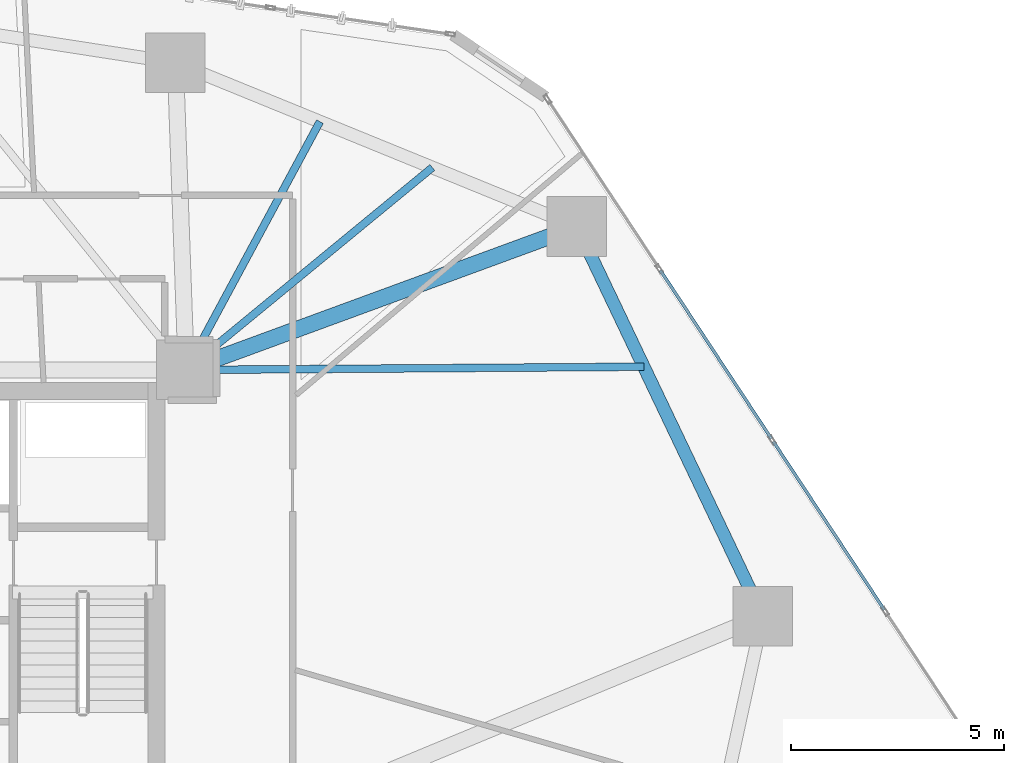
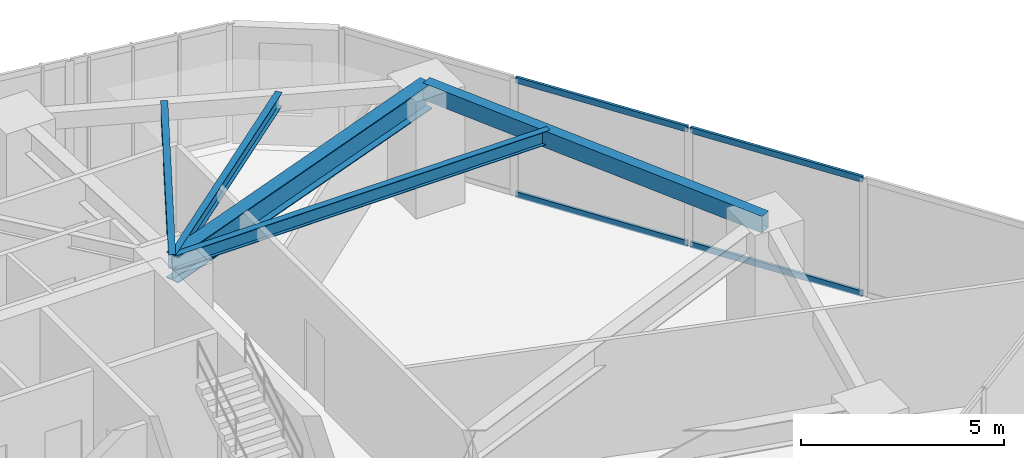
# One storey, part 12 of 22: 5 beams, 4 members, 1 element without a shape of its own.
"""IFC4 building model written with IfcOpenShell, lengths in metres."""

from ifc_helpers import new_model, si_unit, direction, frame, origin, origin_2d, place, context, subcontext, project, spatial, hollow_rectangle, i_section, extrude, source, transform, mapped, material, layer, layer_set, material_profile, profile_set, type_object, type_shapes, element, aggregate, save


model = new_model("IFC4")

# Units and contexts
model_context = context("Model", 3, precision=1e-05, world=origin(), true_north=direction((0.0, 1.0)))
body_context = subcontext(model_context, "Body", "Model", "MODEL_VIEW")
ifc_project = project(units=[si_unit("LENGTHUNIT", "METRE"), si_unit("AREAUNIT", "SQUARE_METRE"), si_unit("VOLUMEUNIT", "CUBIC_METRE"), si_unit("PLANEANGLEUNIT", "RADIAN"), si_unit("MASSUNIT", "GRAM", prefix="KILO")], contexts=[model_context])

# Site, building, storey
site_placement = place(None, origin())
site = spatial("IfcSite", under=ifc_project, at=site_placement, CompositionType="ELEMENT")
building_placement = place(site_placement, origin())
building = spatial("IfcBuilding", under=site, at=building_placement, Name="Talar Marvaseh", CompositionType="ELEMENT")
storey_placement = place(building_placement, frame((0.0, 0.0, 65.800048828125)))
storey = spatial("IfcBuildingStorey", under=building, at=storey_placement, Name="L16", CompositionType="ELEMENT", Elevation=65.800048828125)

# Beams
ifc_material_1 = material(Name="Steel S355", Category="steel")
ifc_material_profile_1 = material_profile(ifc_material_1, hollow_rectangle(XDim=0.300048828125, YDim=0.5, WallThickness=0.02001953125, at=origin_2d()), Name="RHS500x300x20")
ifc_profile_set_1 = profile_set([ifc_material_profile_1], Name="Steel S355")
beam_type_1 = type_object("IfcBeamType", Name="Zone 1 Perimeter Spandrel Beam RHS500x300x20", PredefinedType="SPANDREL", material=ifc_profile_set_1)
beam_1_placement = place(storey_placement, frame((42.47705078125, 40.26904296875, 3.27001953125), z_axis=(0.430480372911, -0.902599938255, 0.0), x_axis=(0.902599938255, 0.430480372911, 0.0)))
element("IfcBeam", 1, at=beam_1_placement, inside=storey, type_object=beam_type_1, Name="L16 Zone 1 Perimeter Spandrel Beam RHS500x300x20", PredefinedType="SPANDREL", context=body_context, shape_type="SweptSolid", body=[
    extrude(hollow_rectangle(XDim=0.300048828125, YDim=0.5, WallThickness=0.02001953125, at=origin_2d()), origin(), (0.0, 0.0, 1.0), 10.137451171875),
])
ifc_material_profile_2 = material_profile(ifc_material_1, i_section(OverallWidth=0.381103515625, OverallDepth=0.77294921875, WebThickness=0.0166015625, FlangeThickness=0.027099609375, at=origin_2d()), Name="W760x257")
ifc_profile_set_2 = profile_set([ifc_material_profile_2], Name="Steel S355")
beam_type_2 = type_object("IfcBeamType", Name="Zone 1 Radial Floor Girder W760x257", PredefinedType="BEAM", material=ifc_profile_set_2)
beam_2_placement = place(storey_placement, frame((42.47705078125, 40.26904296875, 3.133544921875), z_axis=(-0.938736057616, -0.344636930887, 0.0), x_axis=(0.344636930887, -0.938736057616, 0.0)))
element("IfcBeam", 2, at=beam_2_placement, inside=storey, type_object=beam_type_2, Name="L16 Zone 1 Radial Floor Girder W760x257", PredefinedType="BEAM", context=body_context, shape_type="SweptSolid", body=[
    extrude(i_section(OverallWidth=0.381103515625, OverallDepth=0.77294921875, WebThickness=0.0166015625, FlangeThickness=0.027099609375, at=origin_2d()), origin(), (0.0, 0.0, 1.0), 9.77587890625),
])
ifc_material_profile_3 = material_profile(ifc_material_1, i_section(OverallWidth=0.179931640625, OverallDepth=0.4130859375, WebThickness=0.009765625, FlangeThickness=0.01611328125, at=origin_2d()), Name="W410x75")
ifc_profile_set_3 = profile_set([ifc_material_profile_3], Name="Steel S355")
beam_type_3 = type_object("IfcBeamType", Name="Zone 1 Secondary Floor Joist W410x75", PredefinedType="JOIST", material=ifc_profile_set_3)
beam_3_placement = place(storey_placement, frame((44.048095703125, 36.97509765625, 3.3134765625), z_axis=(-0.999975527604, -0.006996012686, 0.0), x_axis=(0.006996012686, -0.999975527604, 0.0)))
element("IfcBeam", 3, at=beam_3_placement, inside=storey, type_object=beam_type_3, Name="L16 Zone 1 Secondary Floor Joist W410x75", PredefinedType="JOIST", context=body_context, shape_type="SweptSolid", body=[
    extrude(i_section(OverallWidth=0.179931640625, OverallDepth=0.4130859375, WebThickness=0.009765625, FlangeThickness=0.01611328125, at=origin_2d()), origin(), (0.0, 0.0, 1.0), 10.748291015625),
])
beam_4_placement = place(storey_placement, frame((36.441162109375, 42.732421875, 3.3134765625), z_axis=(-0.474161357627, -0.880437963137, 0.0), x_axis=(0.880437963137, -0.474161357627, 0.0)))
element("IfcBeam", 4, at=beam_4_placement, inside=storey, type_object=beam_type_3, Name="L16 Zone 1 Secondary Floor Joist W410x75", PredefinedType="JOIST", context=body_context, shape_type="SweptSolid", body=[
    extrude(i_section(OverallWidth=0.179931640625, OverallDepth=0.4130859375, WebThickness=0.009765625, FlangeThickness=0.01611328125, at=origin_2d()), origin(), (0.0, 0.0, 1.0), 6.62451171875),
])
beam_5_placement = place(storey_placement, frame((39.081787109375, 41.654541015625, 3.3134765625), z_axis=(-0.772375351123, -0.635166369526, 0.0), x_axis=(0.635166369526, -0.772375351123, 0.0)))
element("IfcBeam", 5, at=beam_5_placement, inside=storey, type_object=beam_type_3, Name="L16 Zone 1 Secondary Floor Joist W410x75", PredefinedType="JOIST", context=body_context, shape_type="SweptSolid", body=[
    extrude(i_section(OverallWidth=0.179931640625, OverallDepth=0.4130859375, WebThickness=0.009765625, FlangeThickness=0.01611328125, at=origin_2d()), origin(), (0.0, 0.0, 1.0), 7.485595703125),
])

# Curtain wall, members
ifc_material_2 = material(Name="Architectural Aluminium", Category="aluminium")
ifc_layer = layer(ifc_material_2, 0.219970703125)
ifc_layer_set = layer_set([ifc_layer], Name="Architectural Aluminium")
curtain_wall_type = type_object("IfcCurtainWallType", Name="Unitised Low-E Museum Curtain Wall Z1", PredefinedType="NOTDEFINED", material=ifc_layer_set)
curtain_wall_placement = place(storey_placement, origin())
curtain_wall = element("IfcCurtainWall", 6, at=curtain_wall_placement, inside=storey, type_object=curtain_wall_type, Name="L16 Unitised Low-E Museum Curtain Wall Z1", PredefinedType="NOTDEFINED")
ifc_material_profile_4 = material_profile(ifc_material_2, hollow_rectangle(XDim=0.074951171875, YDim=0.179931640625, WallThickness=0.0048828125, at=origin_2d()), Name="RHS180x75x5")
ifc_profile_set_4 = profile_set([ifc_material_profile_4], Name="Architectural Aluminium")
member_type = type_object("IfcMemberType", Name="Unitised Curtain Wall Transom RHS180x75x5", PredefinedType="USERDEFINED", material=ifc_profile_set_4)
shared_shape_1 = source(origin(), body_context, "Body", "SweptSolid", [
    extrude(hollow_rectangle(XDim=0.074951171875, YDim=0.179931640625, WallThickness=0.0048828125, at=origin_2d()), origin(), (0.0, 0.0, 1.0), 4.736572265625),
])
member_1_placement = place(storey_placement, frame((47.09033203125, 35.216552734375, 0.037353515625), z_axis=(0.550542013701, -0.834807457532, 0.0), x_axis=(0.834807457532, 0.550542013701, 0.0)))
member_1 = element("IfcMember", 7, at=member_1_placement, type_object=member_type, Name="CW-Z1 transom 3.1", ObjectType="TRANSOM", PredefinedType="USERDEFINED", context=body_context, shape_type="MappedRepresentation", body=[
    mapped(shared_shape_1, transform((0.0, 0.0, 0.0), x_axis=(1.0, 0.0, 0.0), y_axis=(0.0, 1.0, 0.0), z_axis=(0.0, 0.0, 1.0), scale=1.0)),
])
member_2_placement = place(storey_placement, frame((47.09033203125, 35.216552734375, 3.482421875), z_axis=(0.550542013701, -0.834807457532, 0.0), x_axis=(0.834807457532, 0.550542013701, 0.0)))
member_2 = element("IfcMember", 8, at=member_2_placement, type_object=member_type, Name="CW-Z1 transom 3.2", ObjectType="TRANSOM", PredefinedType="USERDEFINED", context=body_context, shape_type="MappedRepresentation", body=[
    mapped(shared_shape_1, transform((0.0, 0.0, 0.0), x_axis=(1.0, 0.0, 0.0), y_axis=(0.0, 1.0, 0.0), z_axis=(0.0, 0.0, 1.0), scale=1.0)),
])
shared_shape_2 = source(origin(), body_context, "Body", "SweptSolid", [
    extrude(hollow_rectangle(XDim=0.074951171875, YDim=0.179931640625, WallThickness=0.0048828125, at=origin_2d()), origin(), (0.0, 0.0, 1.0), 4.73681640625),
])
type_shapes(member_type, [shared_shape_1, shared_shape_2])
member_3_placement = place(storey_placement, frame((44.4384765625, 39.237548828125, 0.037353515625), z_axis=(0.550518325029, -0.834823079345, 0.0), x_axis=(0.834823079345, 0.550518325029, 0.0)))
member_3 = element("IfcMember", 9, at=member_3_placement, type_object=member_type, Name="CW-Z1 transom 2.1", ObjectType="TRANSOM", PredefinedType="USERDEFINED", context=body_context, shape_type="MappedRepresentation", body=[
    mapped(shared_shape_2, transform((0.0, 0.0, 0.0), x_axis=(1.0, 0.0, 0.0), y_axis=(0.0, 1.0, 0.0), z_axis=(0.0, 0.0, 1.0), scale=1.0)),
])
member_4_placement = place(storey_placement, frame((44.4384765625, 39.237548828125, 3.482421875), z_axis=(0.550518325029, -0.834823079345, 0.0), x_axis=(0.834823079345, 0.550518325029, 0.0)))
member_4 = element("IfcMember", 10, at=member_4_placement, type_object=member_type, Name="CW-Z1 transom 2.2", ObjectType="TRANSOM", PredefinedType="USERDEFINED", context=body_context, shape_type="MappedRepresentation", body=[
    mapped(shared_shape_2, transform((0.0, 0.0, 0.0), x_axis=(1.0, 0.0, 0.0), y_axis=(0.0, 1.0, 0.0), z_axis=(0.0, 0.0, 1.0), scale=1.0)),
])
aggregate(curtain_wall, [member_3, member_4, member_1, member_2])

save(model, "model.ifc")
